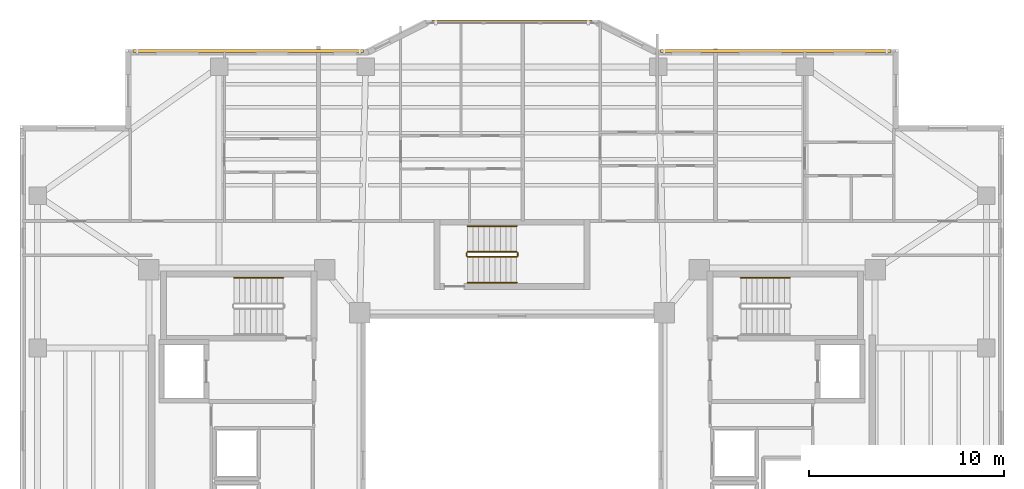
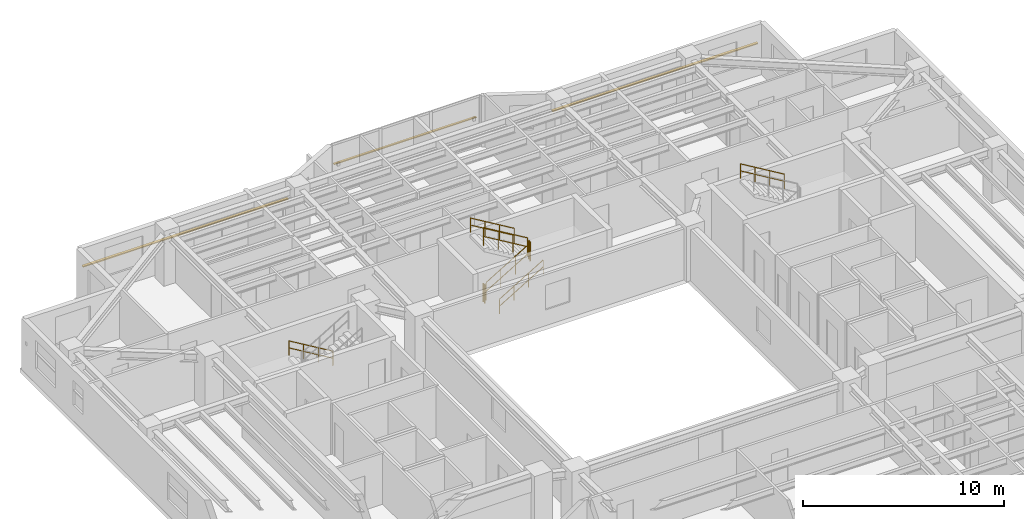
# One storey, part 16 of 16: 8 railings, 3 shading devices.
"""IFC4 building model written with IfcOpenShell, lengths in metres."""

import ifcopenshell
import ifcopenshell.guid

model = None  # the IFC model being written
_history = None  # IfcOwnerHistory: only IFC2X3 demands one
_inside = {}  # id of a spatial element -> (the spatial element, [elements in it])
_under = {}  # id of a project, library or spatial element -> (it, [spatial elements below it])
_declared = {}  # id of a project -> (the project, [libraries it declares])
_typed = {}  # id of a type object -> (the type object, [elements of that type])
_made_of = {}  # id of a material, layer set ... -> (it, [elements and type objects made of it])


def new_model(schema):
    """Start an empty IFC model of exactly this schema.

    Asked for "IFC4X3", IfcOpenShell would pick the latest addendum, in which some entities
    have other attributes; the version numbers below select the first issue.
    IFC2X3 requires an IfcOwnerHistory on every rooted entity: one is made here for all.
    """
    global model, _history
    if schema == "IFC4X3":
        model = ifcopenshell.file(schema_version=(4, 3, 0, 0))
    else:
        model = ifcopenshell.file(schema=schema)
    _inside.clear()
    _under.clear()
    _declared.clear()
    _typed.clear()
    _made_of.clear()
    _history = None
    if model.schema == "IFC2X3":
        org = make("IfcOrganization", Name="unknown")
        user = make(
            "IfcPersonAndOrganization",
            ThePerson=make("IfcPerson", FamilyName="unknown"),
            TheOrganization=org,
        )
        app = make(
            "IfcApplication",
            ApplicationDeveloper=org,
            Version="unknown",
            ApplicationFullName="unknown",
            ApplicationIdentifier="unknown",
        )
        _history = make(
            "IfcOwnerHistory",
            OwningUser=user,
            OwningApplication=app,
            ChangeAction="ADDED",
            CreationDate=0,
        )
    return model


def make(cls, **values):
    """One entity of the class cls with the attributes given. An attribute that is None is left unset."""
    return model.create_entity(
        cls, **{name: value for name, value in values.items() if value is not None}
    )


def rooted(cls, **values):
    """An entity with a GlobalId (a new one), such as an element, a storey or a relation."""
    return make(cls, GlobalId=ifcopenshell.guid.new(), OwnerHistory=_history, **values)


def si_unit(unit_type, name, prefix=None):
    """IfcSIUnit, for example si_unit("LENGTHUNIT", "METRE", prefix="MILLI")."""
    return make("IfcSIUnit", UnitType=unit_type, Prefix=prefix, Name=name)


def assignment(units):
    """IfcUnitAssignment: the units of a project."""
    return None if units is None else make("IfcUnitAssignment", Units=units)


def point(xyz):
    """IfcCartesianPoint."""
    return None if xyz is None else make("IfcCartesianPoint", Coordinates=xyz)


def direction(xyz):
    """IfcDirection."""
    return None if xyz is None else make("IfcDirection", DirectionRatios=xyz)


def frame(location, z_axis=None, x_axis=None):
    """IfcAxis2Placement3D, a coordinate frame: its origin and axes. An axis left out is left unset."""
    return make(
        "IfcAxis2Placement3D",
        Location=point(location),
        Axis=direction(z_axis),
        RefDirection=direction(x_axis),
    )


def frame_2d(location, x_axis=None):
    """IfcAxis2Placement2D, a coordinate frame in the plane: its origin and x axis."""
    return make(
        "IfcAxis2Placement2D", Location=point(location), RefDirection=direction(x_axis)
    )


def origin():
    """The frame at (0, 0, 0) with its axes left unset."""
    return frame((0.0, 0.0, 0.0))


def origin_2d():
    """The frame at (0, 0) in the plane with its x axis left unset."""
    return frame_2d((0.0, 0.0))


def place(relative_to, where):
    """IfcLocalPlacement: puts the frame where relative to a parent placement (None: the world)."""
    return make(
        "IfcLocalPlacement", PlacementRelTo=relative_to, RelativePlacement=where
    )


def context(
    kind, dimensions, precision=None, world=None, true_north=None, identifier=None
):
    """IfcGeometricRepresentationContext, for example the 3D "Model" context."""
    return make(
        "IfcGeometricRepresentationContext",
        ContextIdentifier=identifier,
        ContextType=kind,
        CoordinateSpaceDimension=dimensions,
        Precision=precision,
        WorldCoordinateSystem=world,
        TrueNorth=true_north,
    )


def subcontext(parent, identifier, kind, view, scale=None):
    """IfcGeometricRepresentationSubContext, for example "Body" below "Model"."""
    return make(
        "IfcGeometricRepresentationSubContext",
        ContextIdentifier=identifier,
        ContextType=kind,
        ParentContext=parent,
        TargetScale=scale,
        TargetView=view,
    )


def project(units=None, contexts=None):
    """IfcProject with its units and contexts."""
    return rooted(
        "IfcProject",
        Name="project",
        RepresentationContexts=contexts,
        UnitsInContext=assignment(units),
    )


def spatial(cls, under=None, at=None, **own):
    """A site, building, storey or space (cls), placed at a placement, below another one or the project."""
    s = rooted(cls, ObjectPlacement=at, **own)
    if under is not None:
        _under.setdefault(under.id(), (under, []))[1].append(s)
    return s


def profile(cls, at=None, kind="AREA", **sizes):
    """A parametric profile (cls). Its sizes go by their IFC names, for example OverallWidth=200.0."""
    return make(cls, ProfileType=kind, Position=at, **sizes)


def rectangle(**sizes):
    """IfcRectangleProfileDef."""
    return profile("IfcRectangleProfileDef", **sizes)


def circle(**sizes):
    """IfcCircleProfileDef."""
    return profile("IfcCircleProfileDef", **sizes)


def extrude(swept, where, along, depth):
    """IfcExtrudedAreaSolid: the profile swept, set in the frame where, extruded along a direction by depth."""
    return make(
        "IfcExtrudedAreaSolid",
        SweptArea=swept,
        Position=where,
        ExtrudedDirection=direction(along),
        Depth=depth,
    )


def shape(context_of_items, identifier, shape_type, items):
    """IfcShapeRepresentation: the items that make up one representation, for example the "Body"."""
    return make(
        "IfcShapeRepresentation",
        ContextOfItems=context_of_items,
        RepresentationIdentifier=identifier,
        RepresentationType=shape_type,
        Items=items,
    )


def material(Name=None, Category=None):
    """IfcMaterial."""
    return make("IfcMaterial", Name=Name, Category=Category)


def material_profile(
    of_material, cross_section, Name=None, Category=None, Priority=None
):
    """IfcMaterialProfile: a cross section and its material."""
    return make(
        "IfcMaterialProfile",
        Name=Name,
        Material=of_material,
        Profile=cross_section,
        Priority=Priority,
        Category=Category,
    )


def profile_set(profiles, Name=None, composite=None):
    """IfcMaterialProfileSet."""
    return make(
        "IfcMaterialProfileSet",
        Name=Name,
        MaterialProfiles=profiles,
        CompositeProfile=composite,
    )


def made_of(thing, what):
    """Note that an element or type object is made of a material, layer set ...; save() writes the relation."""
    if what is not None:
        _made_of.setdefault(what.id(), (what, []))[1].append(thing)
    return thing


def type_object(cls, material=None, **own):
    """A type object (cls), such as IfcWallType, which elements share."""
    return made_of(rooted(cls, **own), material)


def element(
    cls,
    number,
    at=None,
    inside=None,
    cuts=None,
    type_object=None,
    material=None,
    context=None,
    identifier="Body",
    shape_type=None,
    held_by="IfcProductDefinitionShape",
    body=None,
    shapes=None,
    **own,
):
    """One element of the class cls, such as IfcWall. Its Tag is "e" and its number.

    at: its placement. inside: the storey or other place that contains it. cuts: it is an
    opening in that element (IfcRelVoidsElement). A single representation is given by context,
    identifier, shape_type and body (its items); several are given by shapes. held_by: the class
    of the entity that holds the representations. save() writes the other relations.
    """
    e = rooted(cls, Tag="e%d" % number, ObjectPlacement=at, **own)
    if body is not None:
        shapes = [shape(context, identifier, shape_type, body)]
    if shapes is not None:
        e.Representation = make(held_by, Representations=shapes)
    if inside is not None:
        _inside.setdefault(inside.id(), (inside, []))[1].append(e)
    if cuts is not None:
        rooted(
            "IfcRelVoidsElement", RelatingBuildingElement=cuts, RelatedOpeningElement=e
        )
    if type_object is not None:
        _typed.setdefault(type_object.id(), (type_object, []))[1].append(e)
    return made_of(e, material)


def aggregate(whole, parts):
    """IfcRelAggregates: a whole, such as a stair, and the parts it consists of."""
    return rooted("IfcRelAggregates", RelatingObject=whole, RelatedObjects=parts)


def save(model, path):
    """Write the relations noted so far, then the file.

    IfcRelAggregates (storeys below a building ...), IfcRelContainedInSpatialStructure (elements
    in a storey), IfcRelDefinesByType, IfcRelAssociatesMaterial and IfcRelDeclares: one each for
    every whole, place, type object, material and project.
    """
    for whole, parts in _under.values():
        aggregate(whole, parts)
    for where, things in _inside.values():
        rooted(
            "IfcRelContainedInSpatialStructure",
            RelatedElements=things,
            RelatingStructure=where,
        )
    for kind, things in _typed.values():
        rooted("IfcRelDefinesByType", RelatedObjects=things, RelatingType=kind)
    for what, things in _made_of.values():
        rooted("IfcRelAssociatesMaterial", RelatedObjects=things, RelatingMaterial=what)
    for by, libraries in _declared.values():
        rooted("IfcRelDeclares", RelatingContext=by, RelatedDefinitions=libraries)
    model.write(path)


model = new_model("IFC4")

# Units and contexts
model_context = context("Model", 3, precision=1e-05, world=origin(), true_north=direction((0.0, 1.0)))
body_context = subcontext(model_context, "Body", "Model", "MODEL_VIEW")
ifc_project = project(units=[si_unit("LENGTHUNIT", "METRE"), si_unit("AREAUNIT", "SQUARE_METRE"), si_unit("VOLUMEUNIT", "CUBIC_METRE"), si_unit("PLANEANGLEUNIT", "RADIAN"), si_unit("MASSUNIT", "GRAM", prefix="KILO")], contexts=[model_context])

# Site, building, storey
site_placement = place(None, origin())
site = spatial("IfcSite", under=ifc_project, at=site_placement, CompositionType="ELEMENT")
building_placement = place(site_placement, origin())
building = spatial("IfcBuilding", under=site, at=building_placement, Name="Tarnavaz Court Tower", CompositionType="ELEMENT")
storey_placement = place(building_placement, frame((0.0, 0.0, 156.050048828125)))
storey = spatial("IfcBuildingStorey", under=building, at=storey_placement, Name="L42", CompositionType="ELEMENT", Elevation=156.050048828125)

# Railings
ifc_material_1 = material(Name="Brushed Stainless Steel", Category="steel")
railing_type_1 = type_object("IfcRailingType", Name="RL-HANDRAIL-900", PredefinedType="HANDRAIL", material=ifc_material_1)
railing_1_placement = place(storey_placement, frame((-11.719970703125, 9.590087890625, 0.16748046875)))
element("IfcRailing", 1, at=railing_1_placement, inside=storey, type_object=railing_type_1, Name="L42 ST-W1 stair handrail 1", PredefinedType="HANDRAIL", context=body_context, shape_type="SweptSolid", body=[
    extrude(circle(Radius=0.02392578125, at=origin_2d()), frame((0.0, 0.0, 0.8759765625), z_axis=(-0.858159760407, 0.0, 0.513382728203), x_axis=(0.0, -1.0, 0.0)), (0.0, 0.0, 1.0), 2.9365234375),
    extrude(circle(Radius=0.02392578125, at=origin_2d()), frame((0.0, 0.0, 0.449951171875), z_axis=(-0.858159760407, 0.0, 0.513382728203), x_axis=(0.0, -1.0, 0.0)), (0.0, 0.0, 1.0), 2.9365234375),
    extrude(circle(Radius=0.02099609375, at=origin_2d()), origin(), (0.0, 0.0, 1.0), 0.851806640625),
    extrude(circle(Radius=0.02099609375, at=origin_2d()), frame((-0.840087890625, 0.0, 0.50244140625)), (0.0, 0.0, 1.0), 0.851806640625),
    extrude(circle(Radius=0.02099609375, at=origin_2d()), frame((-1.679931640625, 0.0, 1.005126953125)), (0.0, 0.0, 1.0), 0.851806640625),
    extrude(circle(Radius=0.02099609375, at=origin_2d()), frame((-2.52001953125, 0.0, 1.507568359375)), (0.0, 0.0, 1.0), 0.851806640625),
])
railing_2_placement = place(storey_placement, frame((14.239990234375, 9.590087890625, 1.842529296875)))
element("IfcRailing", 2, at=railing_2_placement, inside=storey, type_object=railing_type_1, Name="L42 ST-E1 stair handrail 2", PredefinedType="HANDRAIL", context=body_context, shape_type="SweptSolid", body=[
    extrude(circle(Radius=0.02392578125, at=origin_2d()), frame((0.0, 0.0, 0.8759765625), z_axis=(-0.858196387827, 0.0, 0.513321497621), x_axis=(0.0, -1.0, 0.0)), (0.0, 0.0, 1.0), 2.9365234375),
    extrude(circle(Radius=0.02392578125, at=origin_2d()), frame((0.0, 0.0, 0.449951171875), z_axis=(-0.858196387827, 0.0, 0.513321497621), x_axis=(0.0, -1.0, 0.0)), (0.0, 0.0, 1.0), 2.9365234375),
    extrude(circle(Radius=0.02099609375, at=origin_2d()), origin(), (0.0, 0.0, 1.0), 0.851806640625),
    extrude(circle(Radius=0.02099609375, at=origin_2d()), frame((-0.840087890625, 0.0, 0.50244140625)), (0.0, 0.0, 1.0), 0.851806640625),
    extrude(circle(Radius=0.02099609375, at=origin_2d()), frame((-1.679931640625, 0.0, 1.0048828125)), (0.0, 0.0, 1.0), 0.851806640625),
    extrude(circle(Radius=0.02099609375, at=origin_2d()), frame((-2.52001953125, 0.0, 1.50732421875)), (0.0, 0.0, 1.0), 0.851806640625),
])
railing_3_placement = place(storey_placement, frame((-2.280029296875, 9.35009765625, 0.16748046875)))
element("IfcRailing", 3, at=railing_3_placement, inside=storey, type_object=railing_type_1, Name="L42 ST-N1 stair handrail 1", PredefinedType="HANDRAIL", context=body_context, shape_type="SweptSolid", body=[
    extrude(circle(Radius=0.02392578125, at=origin_2d()), frame((0.0, 0.0, 0.8759765625), z_axis=(0.858159760407, 0.0, 0.513382728203), x_axis=(0.0, 1.0, 0.0)), (0.0, 0.0, 1.0), 2.9365234375),
    extrude(circle(Radius=0.02392578125, at=origin_2d()), frame((0.0, 0.0, 0.449951171875), z_axis=(0.858159760407, 0.0, 0.513382728203), x_axis=(0.0, 1.0, 0.0)), (0.0, 0.0, 1.0), 2.9365234375),
    extrude(circle(Radius=0.02099609375, at=origin_2d()), origin(), (0.0, 0.0, 1.0), 0.851806640625),
    extrude(circle(Radius=0.02099609375, at=origin_2d()), frame((0.840087890625, 0.0, 0.50244140625)), (0.0, 0.0, 1.0), 0.851806640625),
    extrude(circle(Radius=0.02099609375, at=origin_2d()), frame((1.679931640625, 0.0, 1.005126953125)), (0.0, 0.0, 1.0), 0.851806640625),
    extrude(circle(Radius=0.02099609375, at=origin_2d()), frame((2.52001953125, 0.0, 1.507568359375)), (0.0, 0.0, 1.0), 0.851806640625),
])
railing_4_placement = place(storey_placement, frame((0.239990234375, 12.239990234375, 1.842529296875)))
element("IfcRailing", 4, at=railing_4_placement, inside=storey, type_object=railing_type_1, Name="L42 ST-N1 stair handrail 2", PredefinedType="HANDRAIL", context=body_context, shape_type="SweptSolid", body=[
    extrude(circle(Radius=0.02392578125, at=origin_2d()), frame((0.0, 0.0, 0.8759765625), z_axis=(-0.858196387827, 0.0, 0.513321497621), x_axis=(0.0, -1.0, 0.0)), (0.0, 0.0, 1.0), 2.9365234375),
    extrude(circle(Radius=0.02392578125, at=origin_2d()), frame((0.0, 0.0, 0.449951171875), z_axis=(-0.858196387827, 0.0, 0.513321497621), x_axis=(0.0, -1.0, 0.0)), (0.0, 0.0, 1.0), 2.9365234375),
    extrude(circle(Radius=0.02099609375, at=origin_2d()), origin(), (0.0, 0.0, 1.0), 0.851806640625),
    extrude(circle(Radius=0.02099609375, at=origin_2d()), frame((-0.840087890625, 0.0, 0.50244140625)), (0.0, 0.0, 1.0), 0.851806640625),
    extrude(circle(Radius=0.02099609375, at=origin_2d()), frame((-1.679931640625, 0.0, 1.0048828125)), (0.0, 0.0, 1.0), 0.851806640625),
    extrude(circle(Radius=0.02099609375, at=origin_2d()), frame((-2.52001953125, 0.0, 1.50732421875)), (0.0, 0.0, 1.0), 0.851806640625),
])
ifc_material_2 = material(Name="Galvanized Painted Tubular Steel", Category="steel")
railing_type_2 = type_object("IfcRailingType", Name="RL-STGUARD-1120", PredefinedType="GUARDRAIL", material=ifc_material_2)
railing_5_placement = place(storey_placement, frame((-2.280029296875, 10.669921875, 0.16748046875)))
element("IfcRailing", 5, at=railing_5_placement, inside=storey, type_object=railing_type_2, Name="L42 ST-N1 stair guard 1", PredefinedType="GUARDRAIL", context=body_context, shape_type="SweptSolid", body=[
    extrude(circle(Radius=0.02392578125, at=origin_2d()), frame((0.0, 0.0, 1.09619140625), z_axis=(0.858159760407, 0.0, 0.513382728203), x_axis=(0.0, 1.0, 0.0)), (0.0, 0.0, 1.0), 2.9365234375),
    extrude(circle(Radius=0.02392578125, at=origin_2d()), frame((0.0, 0.0, 0.56005859375), z_axis=(0.858159760407, 0.0, 0.513382728203), x_axis=(0.0, 1.0, 0.0)), (0.0, 0.0, 1.0), 2.9365234375),
    extrude(circle(Radius=0.02099609375, at=origin_2d()), origin(), (0.0, 0.0, 1.0), 1.072021484375),
    extrude(circle(Radius=0.02099609375, at=origin_2d()), frame((0.840087890625, 0.0, 0.50244140625)), (0.0, 0.0, 1.0), 1.072021484375),
    extrude(circle(Radius=0.02099609375, at=origin_2d()), frame((1.679931640625, 0.0, 1.005126953125)), (0.0, 0.0, 1.0), 1.072021484375),
    extrude(circle(Radius=0.02099609375, at=origin_2d()), frame((2.52001953125, 0.0, 1.507568359375)), (0.0, 0.0, 1.0), 1.072021484375),
])
railing_6_placement = place(storey_placement, frame((0.2900390625, 10.719970703125, 1.675048828125)))
element("IfcRailing", 6, at=railing_6_placement, inside=storey, type_object=railing_type_2, Name="L42 ST-N1 stair guard 2", PredefinedType="GUARDRAIL", context=body_context, shape_type="SweptSolid", body=[
    extrude(circle(Radius=0.02392578125, at=origin_2d()), frame((0.0, 0.0, 1.09619140625), z_axis=(0.0, 1.0, 0.0), x_axis=(-1.0, 0.0, 0.0)), (0.0, 0.0, 1.0), 0.150146484375),
    extrude(circle(Radius=0.02392578125, at=origin_2d()), frame((0.0, 0.0, 0.56005859375), z_axis=(0.0, 1.0, 0.0), x_axis=(-1.0, 0.0, 0.0)), (0.0, 0.0, 1.0), 0.150146484375),
    extrude(circle(Radius=0.02099609375, at=origin_2d()), origin(), (0.0, 0.0, 1.0), 1.072021484375),
    extrude(circle(Radius=0.02099609375, at=origin_2d()), frame((0.0, 0.150146484375, 0.0)), (0.0, 0.0, 1.0), 1.072021484375),
])
railing_7_placement = place(storey_placement, frame((0.239990234375, 10.919921875, 1.842529296875)))
element("IfcRailing", 7, at=railing_7_placement, inside=storey, type_object=railing_type_2, Name="L42 ST-N1 stair guard 3", PredefinedType="GUARDRAIL", context=body_context, shape_type="SweptSolid", body=[
    extrude(circle(Radius=0.02392578125, at=origin_2d()), frame((0.0, 0.0, 1.09619140625), z_axis=(-0.858196387827, 0.0, 0.513321497621), x_axis=(0.0, -1.0, 0.0)), (0.0, 0.0, 1.0), 2.9365234375),
    extrude(circle(Radius=0.02392578125, at=origin_2d()), frame((0.0, 0.0, 0.56005859375), z_axis=(-0.858196387827, 0.0, 0.513321497621), x_axis=(0.0, -1.0, 0.0)), (0.0, 0.0, 1.0), 2.9365234375),
    extrude(circle(Radius=0.02099609375, at=origin_2d()), origin(), (0.0, 0.0, 1.0), 1.072021484375),
    extrude(circle(Radius=0.02099609375, at=origin_2d()), frame((-0.840087890625, 0.0, 0.50244140625)), (0.0, 0.0, 1.0), 1.072021484375),
    extrude(circle(Radius=0.02099609375, at=origin_2d()), frame((-1.679931640625, 0.0, 1.0048828125)), (0.0, 0.0, 1.0), 1.072021484375),
    extrude(circle(Radius=0.02099609375, at=origin_2d()), frame((-2.52001953125, 0.0, 1.50732421875)), (0.0, 0.0, 1.0), 1.072021484375),
])
railing_8_placement = place(storey_placement, frame((-2.330078125, 10.719970703125, 0.0)))
element("IfcRailing", 8, at=railing_8_placement, inside=storey, type_object=railing_type_2, Name="L42 ST-N1 stair guard 4", PredefinedType="GUARDRAIL", context=body_context, shape_type="SweptSolid", body=[
    extrude(circle(Radius=0.02392578125, at=origin_2d()), frame((0.0, 0.0, 1.09619140625), z_axis=(0.0, 1.0, 0.0), x_axis=(-1.0, 0.0, 0.0)), (0.0, 0.0, 1.0), 0.150146484375),
    extrude(circle(Radius=0.02392578125, at=origin_2d()), frame((0.0, 0.0, 0.56005859375), z_axis=(0.0, 1.0, 0.0), x_axis=(-1.0, 0.0, 0.0)), (0.0, 0.0, 1.0), 0.150146484375),
    extrude(circle(Radius=0.02099609375, at=origin_2d()), origin(), (0.0, 0.0, 1.0), 1.072021484375),
    extrude(circle(Radius=0.02099609375, at=origin_2d()), frame((0.0, 0.150146484375, 0.0)), (0.0, 0.0, 1.0), 1.072021484375),
])

# Shading devices
ifc_material_3 = material(Name="Kiln-Fired Khorasan Terracotta Ceramic", Category="masonry")
ifc_material_profile_1 = material_profile(ifc_material_3, rectangle(XDim=0.1201171875, YDim=0.06005859375, at=origin_2d()), Name="TC BAGUETTE 120X60")
ifc_profile_set_1 = profile_set([ifc_material_profile_1], Name="Kiln-Fired Khorasan Terracotta Ceramic")
shading_device_type_1 = type_object("IfcShadingDeviceType", Name="SD-BAG-120", PredefinedType="USERDEFINED", material=ifc_profile_set_1)
shading_device_placement = place(storey_placement, frame((-4.10009765625, 22.7099609375, 1.800048828125), z_axis=(1.0, 0.0, 0.0), x_axis=(0.0, 1.0, 0.0)))
element("IfcShadingDevice", 9, at=shading_device_placement, inside=storey, type_object=shading_device_type_1, Name="L42 Terracotta Baguette Screen PBG7", ObjectType="BAGUETTE", PredefinedType="USERDEFINED", context=body_context, shape_type="SweptSolid", body=[
    extrude(rectangle(XDim=0.1201171875, YDim=0.06005859375, at=origin_2d()), origin(), (0.0, 0.0, 1.0), 8.2001953125),
])
ifc_material_profile_2 = material_profile(ifc_material_3, rectangle(XDim=0.14990234375, YDim=0.06494140625, at=origin_2d()), Name="TC BAGUETTE 150X65")
ifc_profile_set_2 = profile_set([ifc_material_profile_2], Name="Kiln-Fired Khorasan Terracotta Ceramic")
shading_device_type_2 = type_object("IfcShadingDeviceType", Name="SD-BAG-150", PredefinedType="USERDEFINED", material=ifc_profile_set_2)
for number, where, z_axis, x_axis, name in (
    (10, (-19.39990234375, 21.2099609375, 1.849853515625), (1.0, 0.0, 0.0), (0.0, 1.0, 0.0), "L42 Terracotta Baguette Screen FBG05"),
    (11, (7.60009765625, 21.2099609375, 1.849853515625), (1.0, 0.0, 0.0), (0.0, 1.0, 0.0), "L42 Terracotta Baguette Screen FBG09"),
):
    element("IfcShadingDevice", number, at=place(storey_placement, frame(where, z_axis=z_axis, x_axis=x_axis)), inside=storey, type_object=shading_device_type_2, Name=name, ObjectType="BAGUETTE", PredefinedType="USERDEFINED", context=body_context, shape_type="SweptSolid", body=[
        extrude(rectangle(XDim=0.14990234375, YDim=0.06494140625, at=origin_2d()), origin(), (0.0, 0.0, 1.0), 11.7998046875),
    ])

save(model, "model.ifc")
